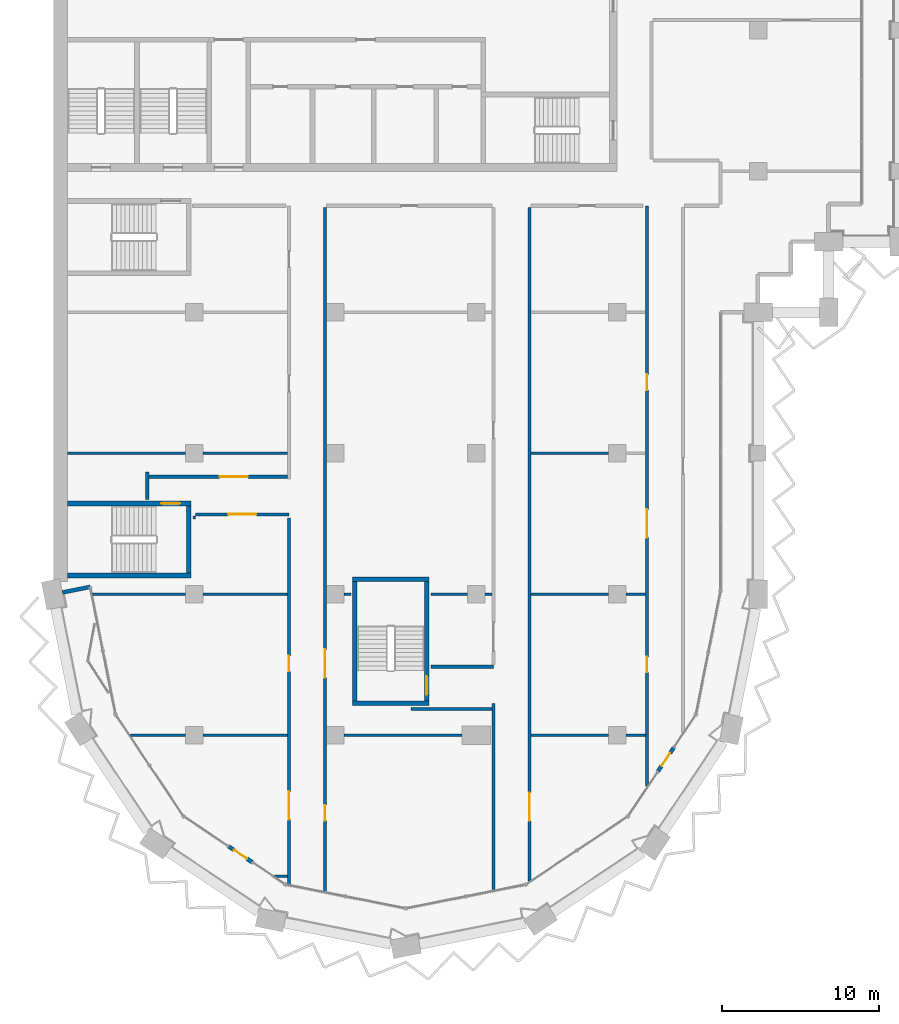
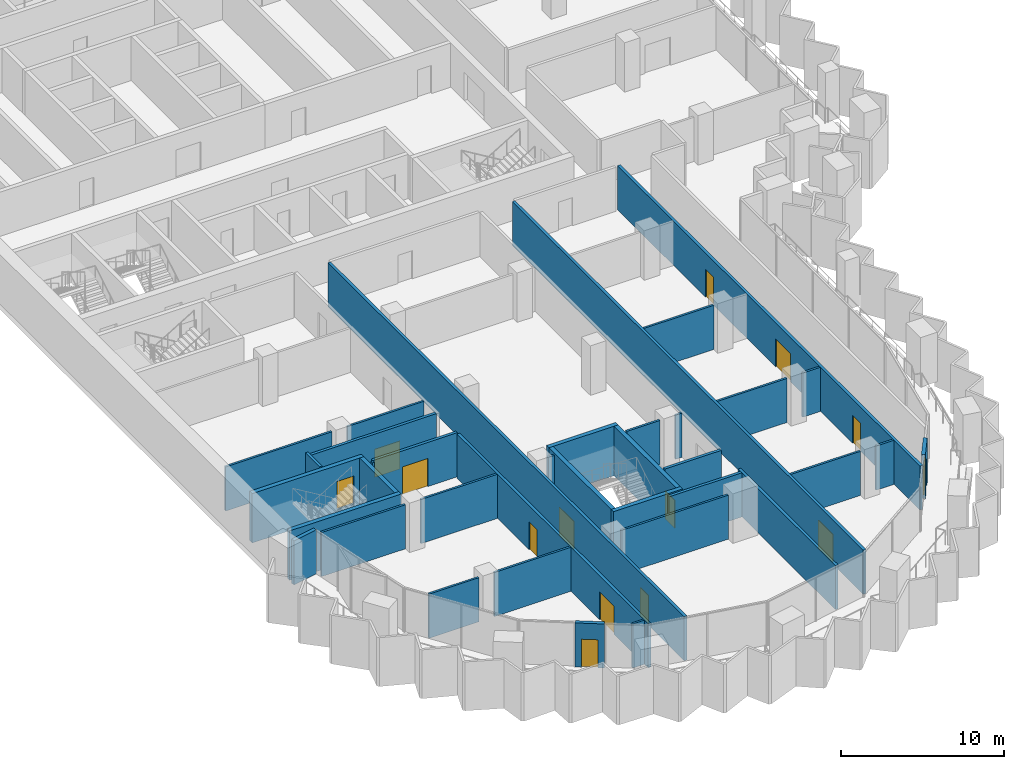
# One storey, part 9 of 19: 37 walls, 14 doors, 14 openings.
"""IFC4 building model written with IfcOpenShell, lengths in metres."""

from ifc_helpers import new_model, si_unit, direction, frame, frame_2d, origin, place, context, subcontext, project, spatial, rectangle, extrude, material, layer, layer_set, type_object, element, fill, save


model = new_model("IFC4")

# Units and contexts
model_context = context("Model", 3, precision=1e-05, world=origin(), true_north=direction((0.0, 1.0)))
body_context = subcontext(model_context, "Body", "Model", "MODEL_VIEW")
ifc_project = project(units=[si_unit("LENGTHUNIT", "METRE"), si_unit("AREAUNIT", "SQUARE_METRE"), si_unit("VOLUMEUNIT", "CUBIC_METRE"), si_unit("PLANEANGLEUNIT", "RADIAN"), si_unit("MASSUNIT", "GRAM", prefix="KILO")], contexts=[model_context])

# Site, building, storey
site_placement = place(None, origin())
site = spatial("IfcSite", under=ifc_project, at=site_placement, CompositionType="ELEMENT")
building_placement = place(site_placement, origin())
building = spatial("IfcBuilding", under=site, at=building_placement, Name="Hunhe Ridgeline Campus", CompositionType="ELEMENT")
storey_placement = place(building_placement, frame((0.0, 0.0, 216.10009765625)))
storey = spatial("IfcBuildingStorey", under=building, at=storey_placement, Name="L55", CompositionType="ELEMENT", Elevation=216.10009765625)

# Walls
ifc_material_1 = material(Name="Concrete C30", Category="concrete")
ifc_layer_1 = layer(ifc_material_1, 0.25)
ifc_layer_set_1 = layer_set([ifc_layer_1], Name="Corner return wall 250 Concrete C30")
wall_type_1 = type_object("IfcWallType", Name="Corner return wall 250 Concrete C30", PredefinedType="SOLIDWALL", material=ifc_layer_set_1)
wall_1_placement = place(storey_placement, frame((0.58837890625, 36.117919921875, 0.0), z_axis=(0.0, 0.0, 1.0), x_axis=(0.980840518545, 0.194812415363, 0.0)))
element("IfcWall", 1, at=wall_1_placement, inside=storey, type_object=wall_type_1, Name="Corner return wall 1", PredefinedType="SOLIDWALL", context=body_context, shape_type="SweptSolid", body=[
    extrude(rectangle(XDim=1.80078125, YDim=0.25, at=frame_2d((0.900390625, 0.0))), origin(), (0.0, 0.0, 1.0), 3.2998046875),
])
ifc_material_2 = material(Name="Gypsum board partition")
ifc_layer_2 = layer(ifc_material_2, 0.199951171875)
ifc_layer_set_2 = layer_set([ifc_layer_2], Name="Corridor partition 200 gypsum board on steel studs")
wall_type_2 = type_object("IfcWallType", Name="Corridor partition 200 gypsum board on steel studs", PredefinedType="PARTITIONING", material=ifc_layer_set_2)
wall_2_placement = place(storey_placement, frame((28.0, 28.675048828125, 0.0), z_axis=(0.0, 0.0, 1.0), x_axis=(-1.0, 0.0, 0.0)))
element("IfcWall", 2, at=wall_2_placement, inside=storey, type_object=wall_type_2, Name="F-L55-wall-007", PredefinedType="PARTITIONING", context=body_context, shape_type="SweptSolid", body=[
    extrude(rectangle(XDim=5.14990234375, YDim=0.199951171875, at=frame_2d((2.574951171875, 0.0))), origin(), (0.0, 0.0, 1.0), 3.2998046875),
])
wall_3_placement = place(storey_placement, frame((24.10400390625, 31.375, 0.0), z_axis=(0.0, 0.0, 1.0), x_axis=(1.0, 0.0, 0.0)))
element("IfcWall", 3, at=wall_3_placement, inside=storey, type_object=wall_type_2, Name="F-L55-wall-008", PredefinedType="PARTITIONING", context=body_context, shape_type="SweptSolid", body=[
    extrude(rectangle(XDim=3.99609375, YDim=0.199951171875, at=frame_2d((1.998046875, 0.0))), origin(), (0.0, 0.0, 1.0), 3.2998046875),
])

# Wall, opening, door
wall_4_placement = place(storey_placement, frame((15.050048828125, 41.10009765625, 0.0), z_axis=(0.0, 0.0, 1.0), x_axis=(-1.0, 0.0, 0.0)))
wall_4 = element("IfcWall", 4, at=wall_4_placement, inside=storey, type_object=wall_type_2, Name="F-L55-wall-016", PredefinedType="PARTITIONING", context=body_context, shape_type="SweptSolid", body=[
    extrude(rectangle(XDim=5.97509765625, YDim=0.199951171875, at=frame_2d((2.987548828125, 0.0))), origin(), (0.0, 0.0, 1.0), 3.2998046875),
])
opening_1_placement = place(wall_4_placement, frame((2.08740234375, 0.0, 0.0)))
opening_1 = element("IfcOpeningElement", 5, at=opening_1_placement, cuts=wall_4, Name="Opening RD2-009", PredefinedType="OPENING", context=body_context, shape_type="SweptSolid", body=[
    extrude(rectangle(XDim=1.800048828125, YDim=2.10009765625, at=frame_2d((0.89990234375, 1.050048828125))), frame((0.0, 0.10009765625, 0.0), z_axis=(0.0, -1.0, 0.0), x_axis=(1.0, 0.0, 0.0)), (0.0, 0.0, 1.0), 0.199951171875),
])
ifc_material_3 = material(Name="Timber door leaf", Category="wood")
door_type_1 = type_object("IfcDoorType", Name="Double fire door 1800x2100 timber FD60", OperationType="DOUBLE_DOOR_SINGLE_SWING", PredefinedType="DOOR", material=ifc_material_3)
door_1_placement = place(opening_1_placement, origin())
door_1 = element("IfcDoor", 6, at=door_1_placement, inside=storey, type_object=door_type_1, Name="F-L55-door-009", OperationType="DOUBLE_DOOR_SINGLE_SWING", OverallHeight=2.10009765625, OverallWidth=1.800048828125, PredefinedType="DOOR", context=body_context, shape_type="SweptSolid", body=[
    extrude(rectangle(XDim=1.800048828125, YDim=2.10009765625, at=frame_2d((0.89990234375, 1.050048828125))), frame((0.0, 0.02490234375, 0.0), z_axis=(0.0, -1.0, 0.0), x_axis=(1.0, 0.0, 0.0)), (0.0, 0.0, 1.0), 0.050048828125),
])
fill(opening_1, door_1)

wall_5_placement = place(storey_placement, frame((6.10009765625, 43.5, 0.0), z_axis=(0.0, 0.0, 1.0), x_axis=(1.0, 0.0, 0.0)))
wall_5 = element("IfcWall", 7, at=wall_5_placement, inside=storey, type_object=wall_type_2, Name="F-L55-wall-017", PredefinedType="PARTITIONING", context=body_context, shape_type="SweptSolid", body=[
    extrude(rectangle(XDim=8.849853515625, YDim=0.199951171875, at=frame_2d((4.4248046875, 0.0))), origin(), (0.0, 0.0, 1.0), 3.2998046875),
])
opening_2_placement = place(wall_5_placement, frame((4.52490234375, 0.0, 0.0)))
opening_2 = element("IfcOpeningElement", 8, at=opening_2_placement, cuts=wall_5, Name="Opening RD2-010", PredefinedType="OPENING", context=body_context, shape_type="SweptSolid", body=[
    extrude(rectangle(XDim=1.800048828125, YDim=2.10009765625, at=frame_2d((0.89990234375, 1.050048828125))), frame((0.0, 0.10009765625, 0.0), z_axis=(0.0, -1.0, 0.0), x_axis=(1.0, 0.0, 0.0)), (0.0, 0.0, 1.0), 0.199951171875),
])
door_2_placement = place(opening_2_placement, origin())
door_2 = element("IfcDoor", 9, at=door_2_placement, inside=storey, type_object=door_type_1, Name="F-L55-door-010", OperationType="DOUBLE_DOOR_SINGLE_SWING", OverallHeight=2.10009765625, OverallWidth=1.800048828125, PredefinedType="DOOR", context=body_context, shape_type="SweptSolid", body=[
    extrude(rectangle(XDim=1.800048828125, YDim=2.10009765625, at=frame_2d((0.89990234375, 1.050048828125))), frame((0.0, 0.02490234375, 0.0), z_axis=(0.0, -1.0, 0.0), x_axis=(1.0, 0.0, 0.0)), (0.0, 0.0, 1.0), 0.050048828125),
])
fill(opening_2, door_2)

# Wall
wall_6_placement = place(storey_placement, frame((6.0, 42.053955078125, 0.0), z_axis=(0.0, 0.0, 1.0), x_axis=(0.0, 1.0, 0.0)))
element("IfcWall", 10, at=wall_6_placement, inside=storey, type_object=wall_type_2, Name="F-L55-wall-038", PredefinedType="PARTITIONING", context=body_context, shape_type="SweptSolid", body=[
    extrude(rectangle(XDim=1.74609375, YDim=0.199951171875, at=frame_2d((0.873046875, 0.0))), origin(), (0.0, 0.0, 1.0), 3.2998046875),
])

# Wall, openings, doors
wall_7_placement = place(storey_placement, frame((15.050048828125, 17.485107421875, 0.0), z_axis=(0.0, 0.0, 1.0), x_axis=(0.0, 1.0, 0.0)))
wall_7 = element("IfcWall", 11, at=wall_7_placement, inside=storey, type_object=wall_type_2, Name="F-L55-wall-040", PredefinedType="PARTITIONING", context=body_context, shape_type="SweptSolid", body=[
    extrude(rectangle(XDim=23.39990234375, YDim=0.199951171875, at=frame_2d((11.699951171875, 0.0))), origin(), (0.0, 0.0, 1.0), 3.2998046875),
])
opening_3_placement = place(wall_7_placement, frame((4.13232421875, 0.0, 0.0)))
opening_3 = element("IfcOpeningElement", 12, at=opening_3_placement, cuts=wall_7, Name="Opening RD2-003", PredefinedType="OPENING", context=body_context, shape_type="SweptSolid", body=[
    extrude(rectangle(XDim=1.800048828125, YDim=2.10009765625, at=frame_2d((0.89990234375, 1.050048828125))), frame((0.0, 0.10009765625, 0.0), z_axis=(0.0, -1.0, 0.0), x_axis=(1.0, 0.0, 0.0)), (0.0, 0.0, 1.0), 0.199951171875),
])
opening_4_placement = place(wall_7_placement, frame((13.59033203125, 0.0, 0.0)))
opening_4 = element("IfcOpeningElement", 13, at=opening_4_placement, cuts=wall_7, Name="Opening RD1-005", PredefinedType="OPENING", context=body_context, shape_type="SweptSolid", body=[
    extrude(rectangle(XDim=1.0, YDim=2.10009765625, at=frame_2d((0.5, 1.050048828125))), frame((0.0, 0.10009765625, 0.0), z_axis=(0.0, -1.0, 0.0), x_axis=(1.0, 0.0, 0.0)), (0.0, 0.0, 1.0), 0.199951171875),
])
door_3_placement = place(opening_3_placement, origin())
door_3 = element("IfcDoor", 14, at=door_3_placement, inside=storey, type_object=door_type_1, Name="F-L55-door-003", OperationType="DOUBLE_DOOR_SINGLE_SWING", OverallHeight=2.10009765625, OverallWidth=1.800048828125, PredefinedType="DOOR", context=body_context, shape_type="SweptSolid", body=[
    extrude(rectangle(XDim=1.800048828125, YDim=2.10009765625, at=frame_2d((0.89990234375, 1.050048828125))), frame((0.0, 0.02490234375, 0.0), z_axis=(0.0, -1.0, 0.0), x_axis=(1.0, 0.0, 0.0)), (0.0, 0.0, 1.0), 0.050048828125),
])
fill(opening_3, door_3)
door_type_2 = type_object("IfcDoorType", Name="Single fire door 1000x2100 timber FD60", OperationType="NOTDEFINED", PredefinedType="DOOR", material=ifc_material_3)
door_4_placement = place(opening_4_placement, origin())
door_4 = element("IfcDoor", 15, at=door_4_placement, inside=storey, type_object=door_type_2, Name="F-L55-door-005", OperationType="SINGLE_SWING_RIGHT", OverallHeight=2.10009765625, OverallWidth=1.0, PredefinedType="DOOR", context=body_context, shape_type="SweptSolid", body=[
    extrude(rectangle(XDim=1.0, YDim=2.10009765625, at=frame_2d((0.5, 1.050048828125))), frame((0.0, 0.02490234375, 0.0), z_axis=(0.0, -1.0, 0.0), x_axis=(1.0, 0.0, 0.0)), (0.0, 0.0, 1.0), 0.050048828125),
])
fill(opening_4, door_4)

wall_8_placement = place(storey_placement, frame((17.35009765625, 60.699951171875, 0.0), z_axis=(0.0, 0.0, 1.0), x_axis=(0.0, -1.0, 0.0)))
wall_8 = element("IfcWall", 16, at=wall_8_placement, inside=storey, type_object=wall_type_2, Name="F-L55-wall-042", PredefinedType="PARTITIONING", context=body_context, shape_type="SweptSolid", body=[
    extrude(rectangle(XDim=43.67236328125, YDim=0.199951171875, at=frame_2d((21.836181640625, 0.0))), origin(), (0.0, 0.0, 1.0), 3.2998046875),
])
opening_5_placement = place(wall_8_placement, frame((38.152587890625, 0.0, 0.0)))
opening_5 = element("IfcOpeningElement", 17, at=opening_5_placement, cuts=wall_8, Name="Opening RD1-001", PredefinedType="OPENING", context=body_context, shape_type="SweptSolid", body=[
    extrude(rectangle(XDim=1.0, YDim=2.10009765625, at=frame_2d((0.5, 1.050048828125))), frame((0.0, 0.10009765625, 0.0), z_axis=(0.0, -1.0, 0.0), x_axis=(1.0, 0.0, 0.0)), (0.0, 0.0, 1.0), 0.199951171875),
])
opening_6_placement = place(wall_8_placement, frame((28.215087890625, 0.0, 0.0)))
opening_6 = element("IfcOpeningElement", 18, at=opening_6_placement, cuts=wall_8, Name="Opening RD2-006", PredefinedType="OPENING", context=body_context, shape_type="SweptSolid", body=[
    extrude(rectangle(XDim=1.800048828125, YDim=2.10009765625, at=frame_2d((0.89990234375, 1.050048828125))), frame((0.0, 0.10009765625, 0.0), z_axis=(0.0, -1.0, 0.0), x_axis=(1.0, 0.0, 0.0)), (0.0, 0.0, 1.0), 0.199951171875),
])
door_5_placement = place(opening_6_placement, origin())
door_5 = element("IfcDoor", 19, at=door_5_placement, inside=storey, type_object=door_type_1, Name="F-L55-door-006", OperationType="DOUBLE_DOOR_SINGLE_SWING", OverallHeight=2.10009765625, OverallWidth=1.800048828125, PredefinedType="DOOR", context=body_context, shape_type="SweptSolid", body=[
    extrude(rectangle(XDim=1.800048828125, YDim=2.10009765625, at=frame_2d((0.89990234375, 1.050048828125))), frame((0.0, 0.02490234375, 0.0), z_axis=(0.0, -1.0, 0.0), x_axis=(1.0, 0.0, 0.0)), (0.0, 0.0, 1.0), 0.050048828125),
])
fill(opening_6, door_5)
door_6_placement = place(opening_5_placement, origin())
door_6 = element("IfcDoor", 20, at=door_6_placement, inside=storey, type_object=door_type_2, Name="F-L55-door-001", OperationType="SINGLE_SWING_LEFT", OverallHeight=2.10009765625, OverallWidth=1.0, PredefinedType="DOOR", context=body_context, shape_type="SweptSolid", body=[
    extrude(rectangle(XDim=1.0, YDim=2.10009765625, at=frame_2d((0.5, 1.050048828125))), frame((0.0, 0.02490234375, 0.0), z_axis=(0.0, -1.0, 0.0), x_axis=(1.0, 0.0, 0.0)), (0.0, 0.0, 1.0), 0.050048828125),
])
fill(opening_5, door_6)

# Wall
wall_9_placement = place(storey_placement, frame((28.10009765625, 17.116943359375, 0.0), z_axis=(0.0, 0.0, 1.0), x_axis=(0.0, 1.0, 0.0)))
element("IfcWall", 21, at=wall_9_placement, inside=storey, type_object=wall_type_2, Name="F-L55-wall-043", PredefinedType="PARTITIONING", context=body_context, shape_type="SweptSolid", body=[
    extrude(rectangle(XDim=11.91357421875, YDim=0.199951171875, at=frame_2d((5.956787109375, 0.0))), origin(), (0.0, 0.0, 1.0), 3.2998046875),
])

# Wall, opening, door
wall_10_placement = place(storey_placement, frame((30.39990234375, 60.699951171875, 0.0), z_axis=(0.0, 0.0, 1.0), x_axis=(0.0, -1.0, 0.0)))
wall_10 = element("IfcWall", 22, at=wall_10_placement, inside=storey, type_object=wall_type_2, Name="F-L55-wall-045", PredefinedType="PARTITIONING", context=body_context, shape_type="SweptSolid", body=[
    extrude(rectangle(XDim=43.00927734375, YDim=0.199951171875, at=frame_2d((21.504638671875, 0.0))), origin(), (0.0, 0.0, 1.0), 3.2998046875),
])
opening_7_placement = place(wall_10_placement, frame((37.3583984375, 0.0, 0.0)))
opening_7 = element("IfcOpeningElement", 23, at=opening_7_placement, cuts=wall_10, Name="Opening RD2-002", PredefinedType="OPENING", context=body_context, shape_type="SweptSolid", body=[
    extrude(rectangle(XDim=1.800048828125, YDim=2.10009765625, at=frame_2d((0.89990234375, 1.050048828125))), frame((0.0, 0.10009765625, 0.0), z_axis=(0.0, -1.0, 0.0), x_axis=(1.0, 0.0, 0.0)), (0.0, 0.0, 1.0), 0.199951171875),
])
door_7_placement = place(opening_7_placement, origin())
door_7 = element("IfcDoor", 24, at=door_7_placement, inside=storey, type_object=door_type_1, Name="F-L55-door-002", OperationType="DOUBLE_DOOR_SINGLE_SWING", OverallHeight=2.10009765625, OverallWidth=1.800048828125, PredefinedType="DOOR", context=body_context, shape_type="SweptSolid", body=[
    extrude(rectangle(XDim=1.800048828125, YDim=2.10009765625, at=frame_2d((0.89990234375, 1.050048828125))), frame((0.0, 0.02490234375, 0.0), z_axis=(0.0, -1.0, 0.0), x_axis=(1.0, 0.0, 0.0)), (0.0, 0.0, 1.0), 0.050048828125),
])
fill(opening_7, door_7)

# Wall, openings, doors
wall_11_placement = place(storey_placement, frame((37.89990234375, 23.745849609375, 0.0), z_axis=(0.0, 0.0, 1.0), x_axis=(0.0, 1.0, 0.0)))
wall_11 = element("IfcWall", 25, at=wall_11_placement, inside=storey, type_object=wall_type_2, Name="F-L55-wall-046", PredefinedType="PARTITIONING", context=body_context, shape_type="SweptSolid", body=[
    extrude(rectangle(XDim=37.05419921875, YDim=0.199951171875, at=frame_2d((18.527099609375, 0.0))), origin(), (0.0, 0.0, 1.0), 3.2998046875),
])
opening_8_placement = place(wall_11_placement, frame((7.26123046875, 0.0, 0.0)))
opening_8 = element("IfcOpeningElement", 26, at=opening_8_placement, cuts=wall_11, Name="Opening RD1-004", PredefinedType="OPENING", context=body_context, shape_type="SweptSolid", body=[
    extrude(rectangle(XDim=1.0, YDim=2.10009765625, at=frame_2d((0.5, 1.050048828125))), frame((0.0, 0.10009765625, 0.0), z_axis=(0.0, -1.0, 0.0), x_axis=(1.0, 0.0, 0.0)), (0.0, 0.0, 1.0), 0.199951171875),
])
opening_9_placement = place(wall_11_placement, frame((15.87451171875, 0.0, 0.0)))
opening_9 = element("IfcOpeningElement", 27, at=opening_9_placement, cuts=wall_11, Name="Opening RD2-008", PredefinedType="OPENING", context=body_context, shape_type="SweptSolid", body=[
    extrude(rectangle(XDim=1.800048828125, YDim=2.10009765625, at=frame_2d((0.89990234375, 1.050048828125))), frame((0.0, 0.10009765625, 0.0), z_axis=(0.0, -1.0, 0.0), x_axis=(1.0, 0.0, 0.0)), (0.0, 0.0, 1.0), 0.199951171875),
])
opening_10_placement = place(wall_11_placement, frame((25.28759765625, 0.0, 0.0)))
opening_10 = element("IfcOpeningElement", 28, at=opening_10_placement, cuts=wall_11, Name="Opening RD1-014", PredefinedType="OPENING", context=body_context, shape_type="SweptSolid", body=[
    extrude(rectangle(XDim=1.0, YDim=2.10009765625, at=frame_2d((0.5, 1.050048828125))), frame((0.0, 0.10009765625, 0.0), z_axis=(0.0, -1.0, 0.0), x_axis=(1.0, 0.0, 0.0)), (0.0, 0.0, 1.0), 0.199951171875),
])
door_8_placement = place(opening_9_placement, origin())
door_8 = element("IfcDoor", 29, at=door_8_placement, inside=storey, type_object=door_type_1, Name="F-L55-door-008", OperationType="DOUBLE_DOOR_SINGLE_SWING", OverallHeight=2.10009765625, OverallWidth=1.800048828125, PredefinedType="DOOR", context=body_context, shape_type="SweptSolid", body=[
    extrude(rectangle(XDim=1.800048828125, YDim=2.10009765625, at=frame_2d((0.89990234375, 1.050048828125))), frame((0.0, 0.02490234375, 0.0), z_axis=(0.0, -1.0, 0.0), x_axis=(1.0, 0.0, 0.0)), (0.0, 0.0, 1.0), 0.050048828125),
])
fill(opening_9, door_8)
door_9_placement = place(opening_8_placement, origin())
door_9 = element("IfcDoor", 30, at=door_9_placement, inside=storey, type_object=door_type_2, Name="F-L55-door-004", OperationType="SINGLE_SWING_RIGHT", OverallHeight=2.10009765625, OverallWidth=1.0, PredefinedType="DOOR", context=body_context, shape_type="SweptSolid", body=[
    extrude(rectangle(XDim=1.0, YDim=2.10009765625, at=frame_2d((0.5, 1.050048828125))), frame((0.0, 0.02490234375, 0.0), z_axis=(0.0, -1.0, 0.0), x_axis=(1.0, 0.0, 0.0)), (0.0, 0.0, 1.0), 0.050048828125),
])
fill(opening_8, door_9)
door_10_placement = place(opening_10_placement, origin())
door_10 = element("IfcDoor", 31, at=door_10_placement, inside=storey, type_object=door_type_2, Name="F-L55-door-014", OperationType="SINGLE_SWING_RIGHT", OverallHeight=2.10009765625, OverallWidth=1.0, PredefinedType="DOOR", context=body_context, shape_type="SweptSolid", body=[
    extrude(rectangle(XDim=1.0, YDim=2.10009765625, at=frame_2d((0.5, 1.050048828125))), frame((0.0, 0.02490234375, 0.0), z_axis=(0.0, -1.0, 0.0), x_axis=(1.0, 0.0, 0.0)), (0.0, 0.0, 1.0), 0.050048828125),
])
fill(opening_10, door_10)

# Wall, opening, door
ifc_layer_3 = layer(ifc_material_1, 0.25)
ifc_layer_set_3 = layer_set([ifc_layer_3], Name="Loggia door pier wall 250 Concrete C30")
wall_type_3 = type_object("IfcWallType", Name="Loggia door pier wall 250 Concrete C30", PredefinedType="SOLIDWALL", material=ifc_layer_set_3)
wall_12_placement = place(storey_placement, frame((11.19970703125, 19.897705078125, 0.0), z_axis=(0.0, 0.0, 1.0), x_axis=(0.83146554274, -0.555576323502, 0.0)))
wall_12 = element("IfcWall", 32, at=wall_12_placement, inside=storey, type_object=wall_type_3, Name="Loggia door pier 1", PredefinedType="SOLIDWALL", context=body_context, shape_type="SweptSolid", body=[
    extrude(rectangle(XDim=1.800048828125, YDim=0.25, at=frame_2d((0.89990234375, 0.0))), origin(), (0.0, 0.0, 1.0), 3.2998046875),
])
opening_11_placement = place(wall_12_placement, frame((0.39990234375, 0.0, 0.0)))
opening_11 = element("IfcOpeningElement", 33, at=opening_11_placement, cuts=wall_12, Name="Opening BD402", PredefinedType="OPENING", context=body_context, shape_type="SweptSolid", body=[
    extrude(rectangle(XDim=1.0, YDim=2.10009765625, at=frame_2d((0.5, 1.050048828125))), frame((0.0, 0.125, 0.0), z_axis=(0.0, -1.0, 0.0), x_axis=(1.0, 0.0, 0.0)), (0.0, 0.0, 1.0), 0.25),
])
ifc_material_4 = material(Name="Aluminium 6063", Category="aluminium")
door_type_3 = type_object("IfcDoorType", Name="Loggia glazed door 1000x2100", OperationType="NOTDEFINED", PredefinedType="DOOR", material=ifc_material_4)
door_11_placement = place(opening_11_placement, frame((1.0, 0.0, 0.0), z_axis=(0.0, 0.0, 1.0), x_axis=(-1.0, 0.0, 0.0)))
door_11 = element("IfcDoor", 34, at=door_11_placement, inside=storey, type_object=door_type_3, Name="Loggia door BD402", OperationType="SINGLE_SWING_LEFT", OverallHeight=2.10009765625, OverallWidth=1.0, PredefinedType="DOOR", context=body_context, shape_type="SweptSolid", body=[
    extrude(rectangle(XDim=1.0, YDim=2.10009765625, at=frame_2d((0.5, 1.050048828125))), frame((0.0, 0.02490234375, 0.0), z_axis=(0.0, -1.0, 0.0), x_axis=(1.0, 0.0, 0.0)), (0.0, 0.0, 1.0), 0.050048828125),
])
fill(opening_11, door_11)

wall_13_placement = place(storey_placement, frame((38.602294921875, 24.69970703125, 0.0), z_axis=(0.0, 0.0, 1.0), x_axis=(0.555576323502, 0.83146554274, 0.0)))
wall_13 = element("IfcWall", 35, at=wall_13_placement, inside=storey, type_object=wall_type_3, Name="Loggia door pier 2", PredefinedType="SOLIDWALL", context=body_context, shape_type="SweptSolid", body=[
    extrude(rectangle(XDim=1.800048828125, YDim=0.25, at=frame_2d((0.89990234375, 0.0))), origin(), (0.0, 0.0, 1.0), 3.2998046875),
])
opening_12_placement = place(wall_13_placement, frame((0.39990234375, 0.0, 0.0)))
opening_12 = element("IfcOpeningElement", 36, at=opening_12_placement, cuts=wall_13, Name="Opening BD404", PredefinedType="OPENING", context=body_context, shape_type="SweptSolid", body=[
    extrude(rectangle(XDim=1.0, YDim=2.10009765625, at=frame_2d((0.5, 1.050048828125))), frame((0.0, 0.125, 0.0), z_axis=(0.0, -1.0, 0.0), x_axis=(1.0, 0.0, 0.0)), (0.0, 0.0, 1.0), 0.25),
])
door_12_placement = place(opening_12_placement, frame((1.0, 0.0, 0.0), z_axis=(0.0, 0.0, 1.0), x_axis=(-1.0, 0.0, 0.0)))
door_12 = element("IfcDoor", 37, at=door_12_placement, inside=storey, type_object=door_type_3, Name="Loggia door BD404", OperationType="SINGLE_SWING_LEFT", OverallHeight=2.10009765625, OverallWidth=1.0, PredefinedType="DOOR", context=body_context, shape_type="SweptSolid", body=[
    extrude(rectangle(XDim=1.0, YDim=2.10009765625, at=frame_2d((0.5, 1.050048828125))), frame((0.0, 0.02490234375, 0.0), z_axis=(0.0, -1.0, 0.0), x_axis=(1.0, 0.0, 0.0)), (0.0, 0.0, 1.0), 0.050048828125),
])
fill(opening_12, door_12)

# Walls
ifc_layer_4 = layer(ifc_material_2, 0.14990234375)
ifc_layer_set_4 = layer_set([ifc_layer_4], Name="Room partition 150 gypsum board on steel studs")
wall_type_4 = type_object("IfcWallType", Name="Room partition 150 gypsum board on steel studs", PredefinedType="PARTITIONING", material=ifc_layer_set_4)
wall_14_placement = place(storey_placement, frame((14.136962890625, 18.0, 0.0), z_axis=(0.0, 0.0, 1.0), x_axis=(1.0, 0.0, 0.0)))
element("IfcWall", 38, at=wall_14_placement, inside=storey, type_object=wall_type_4, Name="F-L55-wall-001", PredefinedType="PARTITIONING", context=body_context, shape_type="SweptSolid", body=[
    extrude(rectangle(XDim=0.81298828125, YDim=0.14990234375, at=frame_2d((0.406494140625, 0.0))), origin(), (0.0, 0.0, 1.0), 3.2998046875),
])
wall_15_placement = place(storey_placement, frame((4.925537109375, 27.0, 0.0), z_axis=(0.0, 0.0, 1.0), x_axis=(1.0, 0.0, 0.0)))
element("IfcWall", 39, at=wall_15_placement, inside=storey, type_object=wall_type_4, Name="F-L55-wall-002", PredefinedType="PARTITIONING", context=body_context, shape_type="SweptSolid", body=[
    extrude(rectangle(XDim=3.5244140625, YDim=0.14990234375, at=frame_2d((1.76220703125, 0.0))), origin(), (0.0, 0.0, 1.0), 3.2998046875),
])
wall_16_placement = place(storey_placement, frame((9.550048828125, 27.0, 0.0), z_axis=(0.0, 0.0, 1.0), x_axis=(1.0, 0.0, 0.0)))
element("IfcWall", 40, at=wall_16_placement, inside=storey, type_object=wall_type_4, Name="F-L55-wall-003", PredefinedType="PARTITIONING", context=body_context, shape_type="SweptSolid", body=[
    extrude(rectangle(XDim=5.39990234375, YDim=0.14990234375, at=frame_2d((2.699951171875, 0.0))), origin(), (0.0, 0.0, 1.0), 3.2998046875),
])
wall_17_placement = place(storey_placement, frame((18.550048828125, 27.0, 0.0), z_axis=(0.0, 0.0, 1.0), x_axis=(1.0, 0.0, 0.0)))
element("IfcWall", 41, at=wall_17_placement, inside=storey, type_object=wall_type_4, Name="F-L55-wall-004", PredefinedType="PARTITIONING", context=body_context, shape_type="SweptSolid", body=[
    extrude(rectangle(XDim=7.550048828125, YDim=0.14990234375, at=frame_2d((3.77490234375, 0.0))), origin(), (0.0, 0.0, 1.0), 3.2998046875),
])
wall_18_placement = place(storey_placement, frame((30.5, 27.0, 0.0), z_axis=(0.0, 0.0, 1.0), x_axis=(1.0, 0.0, 0.0)))
element("IfcWall", 42, at=wall_18_placement, inside=storey, type_object=wall_type_4, Name="F-L55-wall-005", PredefinedType="PARTITIONING", context=body_context, shape_type="SweptSolid", body=[
    extrude(rectangle(XDim=4.949951171875, YDim=0.14990234375, at=frame_2d((2.47509765625, 0.0))), origin(), (0.0, 0.0, 1.0), 3.2998046875),
])
wall_19_placement = place(storey_placement, frame((36.550048828125, 27.0, 0.0), z_axis=(0.0, 0.0, 1.0), x_axis=(1.0, 0.0, 0.0)))
element("IfcWall", 43, at=wall_19_placement, inside=storey, type_object=wall_type_4, Name="F-L55-wall-006", PredefinedType="PARTITIONING", context=body_context, shape_type="SweptSolid", body=[
    extrude(rectangle(XDim=1.25, YDim=0.14990234375, at=frame_2d((0.625, 0.0))), origin(), (0.0, 0.0, 1.0), 3.2998046875),
])
wall_20_placement = place(storey_placement, frame((2.503173828125, 36.0, 0.0), z_axis=(0.0, 0.0, 1.0), x_axis=(1.0, 0.0, 0.0)))
element("IfcWall", 44, at=wall_20_placement, inside=storey, type_object=wall_type_4, Name="F-L55-wall-009", PredefinedType="PARTITIONING", context=body_context, shape_type="SweptSolid", body=[
    extrude(rectangle(XDim=5.94677734375, YDim=0.14990234375, at=frame_2d((2.973388671875, 0.0))), origin(), (0.0, 0.0, 1.0), 3.2998046875),
])
wall_21_placement = place(storey_placement, frame((9.550048828125, 36.0, 0.0), z_axis=(0.0, 0.0, 1.0), x_axis=(1.0, 0.0, 0.0)))
element("IfcWall", 45, at=wall_21_placement, inside=storey, type_object=wall_type_4, Name="F-L55-wall-010", PredefinedType="PARTITIONING", context=body_context, shape_type="SweptSolid", body=[
    extrude(rectangle(XDim=5.39990234375, YDim=0.14990234375, at=frame_2d((2.699951171875, 0.0))), origin(), (0.0, 0.0, 1.0), 3.2998046875),
])
wall_22_placement = place(storey_placement, frame((18.550048828125, 36.0, 0.0), z_axis=(0.0, 0.0, 1.0), x_axis=(1.0, 0.0, 0.0)))
element("IfcWall", 46, at=wall_22_placement, inside=storey, type_object=wall_type_4, Name="F-L55-wall-011", PredefinedType="PARTITIONING", context=body_context, shape_type="SweptSolid", body=[
    extrude(rectangle(XDim=0.446044921875, YDim=0.14990234375, at=frame_2d((0.22314453125, 0.0))), origin(), (0.0, 0.0, 1.0), 3.2998046875),
])
wall_23_placement = place(storey_placement, frame((24.10400390625, 36.0, 0.0), z_axis=(0.0, 0.0, 1.0), x_axis=(1.0, 0.0, 0.0)))
element("IfcWall", 47, at=wall_23_placement, inside=storey, type_object=wall_type_4, Name="F-L55-wall-012", PredefinedType="PARTITIONING", context=body_context, shape_type="SweptSolid", body=[
    extrude(rectangle(XDim=2.345947265625, YDim=0.14990234375, at=frame_2d((1.1728515625, 0.0))), origin(), (0.0, 0.0, 1.0), 3.2998046875),
])
wall_24_placement = place(storey_placement, frame((27.550048828125, 36.0, 0.0), z_axis=(0.0, 0.0, 1.0), x_axis=(1.0, 0.0, 0.0)))
element("IfcWall", 48, at=wall_24_placement, inside=storey, type_object=wall_type_4, Name="F-L55-wall-013", PredefinedType="PARTITIONING", context=body_context, shape_type="SweptSolid", body=[
    extrude(rectangle(XDim=0.449951171875, YDim=0.14990234375, at=frame_2d((0.22509765625, 0.0))), origin(), (0.0, 0.0, 1.0), 3.2998046875),
])
wall_25_placement = place(storey_placement, frame((30.5, 36.0, 0.0), z_axis=(0.0, 0.0, 1.0), x_axis=(1.0, 0.0, 0.0)))
element("IfcWall", 49, at=wall_25_placement, inside=storey, type_object=wall_type_4, Name="F-L55-wall-014", PredefinedType="PARTITIONING", context=body_context, shape_type="SweptSolid", body=[
    extrude(rectangle(XDim=4.949951171875, YDim=0.14990234375, at=frame_2d((2.47509765625, 0.0))), origin(), (0.0, 0.0, 1.0), 3.2998046875),
])
wall_26_placement = place(storey_placement, frame((36.550048828125, 36.0, 0.0), z_axis=(0.0, 0.0, 1.0), x_axis=(1.0, 0.0, 0.0)))
element("IfcWall", 50, at=wall_26_placement, inside=storey, type_object=wall_type_4, Name="F-L55-wall-015", PredefinedType="PARTITIONING", context=body_context, shape_type="SweptSolid", body=[
    extrude(rectangle(XDim=1.25, YDim=0.14990234375, at=frame_2d((0.625, 0.0))), origin(), (0.0, 0.0, 1.0), 3.2998046875),
])
wall_27_placement = place(storey_placement, frame((0.919921875, 45.0, 0.0), z_axis=(0.0, 0.0, 1.0), x_axis=(1.0, 0.0, 0.0)))
element("IfcWall", 51, at=wall_27_placement, inside=storey, type_object=wall_type_4, Name="F-L55-wall-018", PredefinedType="PARTITIONING", context=body_context, shape_type="SweptSolid", body=[
    extrude(rectangle(XDim=7.530029296875, YDim=0.14990234375, at=frame_2d((3.76513671875, 0.0))), origin(), (0.0, 0.0, 1.0), 3.2998046875),
])
wall_28_placement = place(storey_placement, frame((9.550048828125, 45.0, 0.0), z_axis=(0.0, 0.0, 1.0), x_axis=(1.0, 0.0, 0.0)))
element("IfcWall", 52, at=wall_28_placement, inside=storey, type_object=wall_type_4, Name="F-L55-wall-019", PredefinedType="PARTITIONING", context=body_context, shape_type="SweptSolid", body=[
    extrude(rectangle(XDim=5.39990234375, YDim=0.14990234375, at=frame_2d((2.699951171875, 0.0))), origin(), (0.0, 0.0, 1.0), 3.2998046875),
])
wall_29_placement = place(storey_placement, frame((30.5, 45.0, 0.0), z_axis=(0.0, 0.0, 1.0), x_axis=(1.0, 0.0, 0.0)))
element("IfcWall", 53, at=wall_29_placement, inside=storey, type_object=wall_type_4, Name="F-L55-wall-020", PredefinedType="PARTITIONING", context=body_context, shape_type="SweptSolid", body=[
    extrude(rectangle(XDim=4.949951171875, YDim=0.14990234375, at=frame_2d((2.47509765625, 0.0))), origin(), (0.0, 0.0, 1.0), 3.2998046875),
])
wall_30_placement = place(storey_placement, frame((9.0, 41.0, 0.0), z_axis=(0.0, 0.0, 1.0), x_axis=(0.0, -1.0, 0.0)))
element("IfcWall", 54, at=wall_30_placement, inside=storey, type_object=wall_type_4, Name="F-L55-wall-039", PredefinedType="PARTITIONING", context=body_context, shape_type="SweptSolid", body=[
    extrude(rectangle(XDim=0.199951171875, YDim=0.14990234375, at=frame_2d((0.10009765625, 0.0))), origin(), (0.0, 0.0, 1.0), 3.2998046875),
])
ifc_material_5 = material(Name="Concrete C60", Category="concrete")
ifc_layer_5 = layer(ifc_material_5, 0.300048828125)
ifc_layer_set_5 = layer_set([ifc_layer_5], Name="Stair wall 300 reinforced concrete C60")
wall_type_5 = type_object("IfcWallType", Name="Stair wall 300 reinforced concrete C60", PredefinedType="SOLIDWALL", material=ifc_layer_set_5)
for number, where, z_axis, x_axis, name in (
    (55, (19.10009765625, 29.050048828125, -0.400146484375), (0.0, 0.0, 1.0), (1.0, 0.0, 0.0), "L55 core wall 1"),
    (56, (19.10009765625, 36.949951171875, -0.400146484375), (0.0, 0.0, 1.0), (1.0, 0.0, 0.0), "L55 core wall 2"),
):
    element("IfcWall", number, at=place(storey_placement, frame(where, z_axis=z_axis, x_axis=x_axis)), inside=storey, type_object=wall_type_5, Name=name, PredefinedType="SOLIDWALL", context=body_context, shape_type="SweptSolid", body=[
        extrude(rectangle(XDim=4.89990234375, YDim=0.300048828125, at=frame_2d((2.449951171875, 0.0))), origin(), (0.0, 0.0, 1.0), 3.699951171875),
    ])
wall_31_placement = place(storey_placement, frame((0.89990234375, 37.199951171875, -0.400146484375), z_axis=(0.0, 0.0, 1.0), x_axis=(1.0, 0.0, 0.0)))
element("IfcWall", 57, at=wall_31_placement, inside=storey, type_object=wall_type_5, Name="L55 core wall 3", PredefinedType="SOLIDWALL", context=body_context, shape_type="SweptSolid", body=[
    extrude(rectangle(XDim=7.900146484375, YDim=0.300048828125, at=frame_2d((3.9501953125, 0.0))), origin(), (0.0, 0.0, 1.0), 3.699951171875),
])

# Wall, opening, door
wall_32_placement = place(storey_placement, frame((0.89990234375, 41.800048828125, -0.400146484375), z_axis=(0.0, 0.0, 1.0), x_axis=(1.0, 0.0, 0.0)))
wall_32 = element("IfcWall", 58, at=wall_32_placement, inside=storey, type_object=wall_type_5, Name="L55 core wall 4", PredefinedType="SOLIDWALL", context=body_context, shape_type="SweptSolid", body=[
    extrude(rectangle(XDim=7.900146484375, YDim=0.300048828125, at=frame_2d((3.9501953125, 0.0))), origin(), (0.0, 0.0, 1.0), 3.699951171875),
])
opening_13_placement = place(wall_32_placement, frame((6.0, 0.0, 0.39990234375)))
opening_13 = element("IfcOpeningElement", 59, at=opening_13_placement, cuts=wall_32, Name="Opening CD21", PredefinedType="OPENING", context=body_context, shape_type="SweptSolid", body=[
    extrude(rectangle(XDim=1.199951171875, YDim=2.10009765625, at=frame_2d((0.60009765625, 1.050048828125))), frame((0.0, 0.14990234375, 0.0), z_axis=(0.0, -1.0, 0.0), x_axis=(1.0, 0.0, 0.0)), (0.0, 0.0, 1.0), 0.300048828125),
])
ifc_material_6 = material(Name="Hollow metal fire door leaf")
door_type_4 = type_object("IfcDoorType", Name="Stair door 1200x2100 FD60", OperationType="SINGLE_SWING_LEFT", PredefinedType="DOOR", material=ifc_material_6)
door_13_placement = place(opening_13_placement, origin())
door_13 = element("IfcDoor", 60, at=door_13_placement, inside=storey, type_object=door_type_4, Name="L55 door W1", OperationType="SINGLE_SWING_LEFT", OverallHeight=2.10009765625, OverallWidth=1.199951171875, PredefinedType="DOOR", context=body_context, shape_type="SweptSolid", body=[
    extrude(rectangle(XDim=1.199951171875, YDim=2.10009765625, at=frame_2d((0.60009765625, 1.050048828125))), frame((0.0, 0.02490234375, 0.0), z_axis=(0.0, -1.0, 0.0), x_axis=(1.0, 0.0, 0.0)), (0.0, 0.0, 1.0), 0.050048828125),
])
fill(opening_13, door_13)

# Walls
wall_33_placement = place(storey_placement, frame((8.64990234375, 37.35009765625, -0.400146484375), z_axis=(0.0, 0.0, 1.0), x_axis=(0.0, 1.0, 0.0)))
element("IfcWall", 61, at=wall_33_placement, inside=storey, type_object=wall_type_5, Name="L55 core wall 29", PredefinedType="SOLIDWALL", context=body_context, shape_type="SweptSolid", body=[
    extrude(rectangle(XDim=4.2998046875, YDim=0.300048828125, at=frame_2d((2.14990234375, 0.0))), origin(), (0.0, 0.0, 1.0), 3.699951171875),
])
wall_34_placement = place(storey_placement, frame((19.25, 29.199951171875, -0.400146484375), z_axis=(0.0, 0.0, 1.0), x_axis=(0.0, 1.0, 0.0)))
element("IfcWall", 62, at=wall_34_placement, inside=storey, type_object=wall_type_5, Name="L55 core wall 40", PredefinedType="SOLIDWALL", context=body_context, shape_type="SweptSolid", body=[
    extrude(rectangle(XDim=7.60009765625, YDim=0.300048828125, at=frame_2d((3.800048828125, 0.0))), origin(), (0.0, 0.0, 1.0), 3.699951171875),
])

# Wall, opening, door
wall_35_placement = place(storey_placement, frame((23.85009765625, 29.199951171875, -0.400146484375), z_axis=(0.0, 0.0, 1.0), x_axis=(0.0, 1.0, 0.0)))
wall_35 = element("IfcWall", 63, at=wall_35_placement, inside=storey, type_object=wall_type_5, Name="L55 core wall 45", PredefinedType="SOLIDWALL", context=body_context, shape_type="SweptSolid", body=[
    extrude(rectangle(XDim=7.60009765625, YDim=0.300048828125, at=frame_2d((3.800048828125, 0.0))), origin(), (0.0, 0.0, 1.0), 3.699951171875),
])
opening_14_placement = place(wall_35_placement, frame((0.375, 0.0, 0.39990234375)))
opening_14 = element("IfcOpeningElement", 64, at=opening_14_placement, cuts=wall_35, Name="Opening CD23", PredefinedType="OPENING", context=body_context, shape_type="SweptSolid", body=[
    extrude(rectangle(XDim=1.199951171875, YDim=2.10009765625, at=frame_2d((0.60009765625, 1.050048828125))), frame((0.0, 0.14990234375, 0.0), z_axis=(0.0, -1.0, 0.0), x_axis=(1.0, 0.0, 0.0)), (0.0, 0.0, 1.0), 0.300048828125),
])
door_14_placement = place(opening_14_placement, frame((1.199951171875, 0.0, 0.0), z_axis=(0.0, 0.0, 1.0), x_axis=(-1.0, 0.0, 0.0)))
door_14 = element("IfcDoor", 65, at=door_14_placement, inside=storey, type_object=door_type_4, Name="L55 door W3", OperationType="SINGLE_SWING_RIGHT", OverallHeight=2.10009765625, OverallWidth=1.199951171875, PredefinedType="DOOR", context=body_context, shape_type="SweptSolid", body=[
    extrude(rectangle(XDim=1.199951171875, YDim=2.10009765625, at=frame_2d((0.60009765625, 1.050048828125))), frame((0.0, 0.02490234375, 0.0), z_axis=(0.0, -1.0, 0.0), x_axis=(1.0, 0.0, 0.0)), (0.0, 0.0, 1.0), 0.050048828125),
])
fill(opening_14, door_14)

save(model, "model.ifc")
